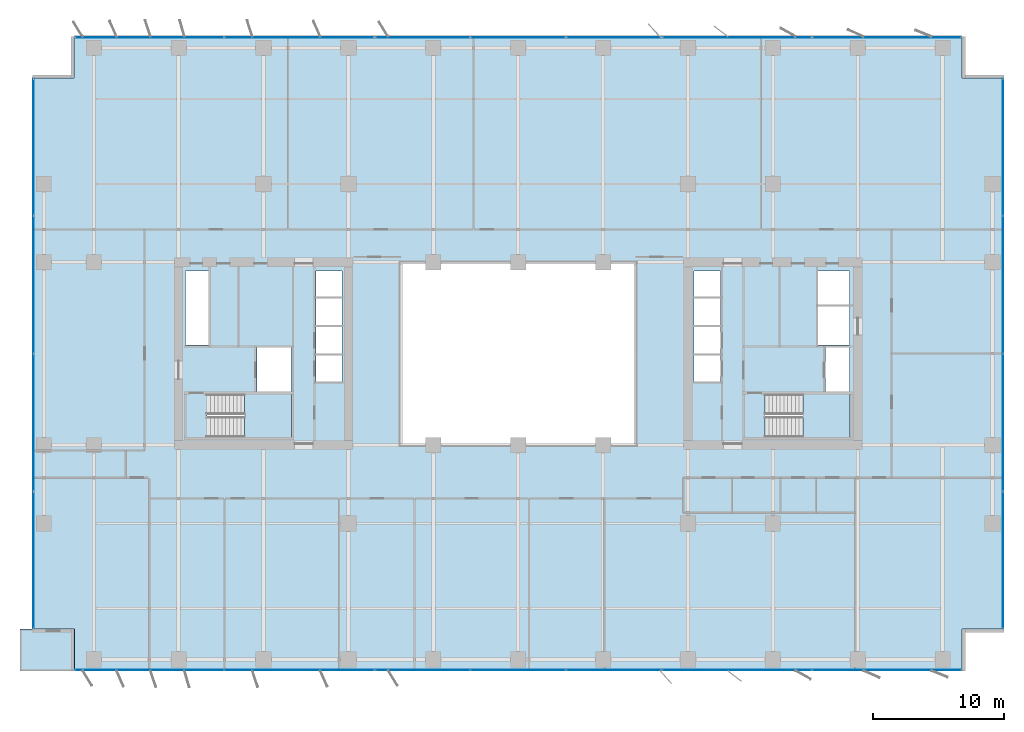
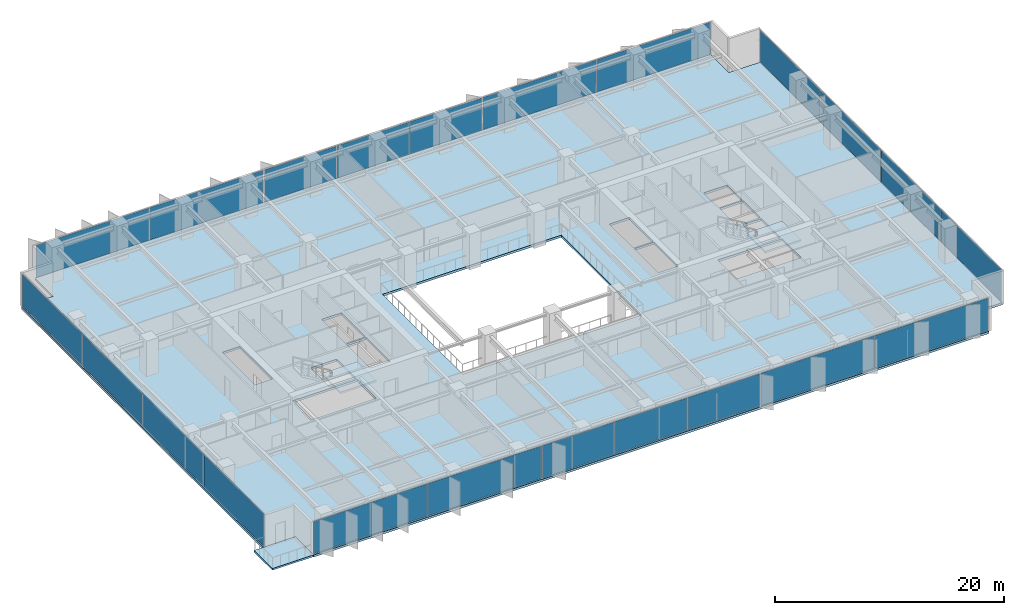
# One storey, part 12 of 20: 22 plates, 4 slabs, 10 elements without a shape of their own.
"""IFC4 building model written with IfcOpenShell, lengths in metres."""

from ifc_helpers import new_model, si_unit, direction, frame, origin, origin_2d, place, context, subcontext, project, spatial, polyline, rectangle, outline, extrude, material, layer, layer_set, type_object, element, aggregate, save


model = new_model("IFC4")

# Units and contexts
model_context = context("Model", 3, precision=1e-05, world=origin(), true_north=direction((0.0, 1.0)))
body_context = subcontext(model_context, "Body", "Model", "MODEL_VIEW")
ifc_project = project(units=[si_unit("LENGTHUNIT", "METRE"), si_unit("AREAUNIT", "SQUARE_METRE"), si_unit("VOLUMEUNIT", "CUBIC_METRE"), si_unit("PLANEANGLEUNIT", "RADIAN"), si_unit("MASSUNIT", "GRAM", prefix="KILO")], contexts=[model_context])

# Site, building, storey
site_placement = place(None, origin())
site = spatial("IfcSite", under=ifc_project, at=site_placement, CompositionType="ELEMENT")
building_placement = place(site_placement, origin())
building = spatial("IfcBuilding", under=site, at=building_placement, Name="Putna Gate Headquarters", CompositionType="ELEMENT")
storey_placement = place(building_placement, frame((0.0, 0.0, 101.199951171875)))
storey = spatial("IfcBuildingStorey", under=building, at=storey_placement, Name="L24", CompositionType="ELEMENT", Elevation=101.199951171875)

# Stair, slab
ifc_material_1 = material(Name="Concrete C40/50", Category="concrete")
stair_type_1 = type_object("IfcStairType", Name="STAIR-ST1", PredefinedType="HALF_TURN_STAIR", material=ifc_material_1)
stair_1_placement = place(storey_placement, origin())
stair_1 = element("IfcStair", 1, at=stair_1_placement, inside=storey, type_object=stair_type_1, Name="L24 West Core Exit Stair ST1", PredefinedType="HALF_TURN_STAIR")
ifc_layer_1 = layer(ifc_material_1, 0.199951171875)
ifc_layer_set_1 = layer_set([ifc_layer_1], Name="Concrete C40/50")
slab_type_1 = type_object("IfcSlabType", Name="LANDING-ST1", PredefinedType="LANDING", material=ifc_layer_set_1)
slab_1_placement = place(storey_placement, frame((0.0, 0.0, 1.699951171875)))
slab_1 = element("IfcSlab", 2, at=slab_1_placement, type_object=slab_type_1, Name="ST1 landing 1", PredefinedType="LANDING", context=body_context, shape_type="SweptSolid", body=[
    extrude(outline(polyline([(18.050048828125, 19.60009765625), (21.64990234375, 19.60009765625), (21.64990234375, 22.89990234375), (18.050048828125, 22.89990234375), (18.050048828125, 19.60009765625)])), origin(), (0.0, 0.0, 1.0), 0.2001953125),
])
aggregate(stair_1, [slab_1])

stair_type_2 = type_object("IfcStairType", Name="STAIR-ST2", PredefinedType="HALF_TURN_STAIR", material=ifc_material_1)
stair_2_placement = place(storey_placement, origin())
stair_2 = element("IfcStair", 3, at=stair_2_placement, inside=storey, type_object=stair_type_2, Name="L24 East Core Exit Stair ST2", PredefinedType="HALF_TURN_STAIR")
ifc_layer_2 = layer(ifc_material_1, 0.199951171875)
ifc_layer_set_2 = layer_set([ifc_layer_2], Name="Concrete C40/50")
slab_type_2 = type_object("IfcSlabType", Name="LANDING-ST2", PredefinedType="LANDING", material=ifc_layer_set_2)
slab_2_placement = place(storey_placement, frame((0.0, 0.0, 1.699951171875)))
slab_2 = element("IfcSlab", 4, at=slab_2_placement, type_object=slab_type_2, Name="ST2 landing 1", PredefinedType="LANDING", context=body_context, shape_type="SweptSolid", body=[
    extrude(outline(polyline([(60.800048828125, 19.60009765625), (64.39990234375, 19.60009765625), (64.39990234375, 22.89990234375), (60.800048828125, 22.89990234375), (60.800048828125, 19.60009765625)])), origin(), (0.0, 0.0, 1.0), 0.2001953125),
])
aggregate(stair_2, [slab_2])

# Curtain wall, plates
ifc_material_2 = material(Name="Anodised bronze aluminium curtain wall", Category="aluminium")
ifc_layer_3 = layer(ifc_material_2, 0.159912109375)
ifc_layer_set_3 = layer_set([ifc_layer_3], Name="Anodised bronze aluminium curtain wall")
curtain_wall_type_1 = type_object("IfcCurtainWallType", Name="CW-SYS-Z2", PredefinedType="USERDEFINED", material=ifc_layer_set_3)
curtain_wall_1_placement = place(storey_placement, origin())
curtain_wall_1 = element("IfcCurtainWall", 5, at=curtain_wall_1_placement, inside=storey, type_object=curtain_wall_type_1, Name="L24 South West Curtain Wall", ObjectType="STICK CURTAIN WALL", PredefinedType="USERDEFINED")
ifc_material_3 = material(Name="Solar-control triple low-E glass", Category="glass")
ifc_layer_4 = layer(ifc_material_3, 0.030029296875)
ifc_layer_set_4 = layer_set([ifc_layer_4], Name="Solar-control triple low-E glass")
plate_type_1 = type_object("IfcPlateType", Name="PAN-CWP-2", PredefinedType="CURTAIN_PANEL", material=ifc_layer_set_4)
plate_1_placement = place(storey_placement, frame((10.766357421875, 1.780029296875, 0.06494140625), z_axis=(0.0, 0.0, 1.0), x_axis=(1.0, 0.0, 0.0)))
plate_1 = element("IfcPlate", 6, at=plate_1_placement, type_object=plate_type_1, Name="CWS-2 panel 1.1", PredefinedType="CURTAIN_PANEL", context=body_context, shape_type="SweptSolid", body=[
    extrude(rectangle(XDim=11.402587890625, YDim=0.030029296875, at=origin_2d()), origin(), (0.0, 0.0, 1.0), 3.43505859375),
])
plate_2_placement = place(storey_placement, frame((22.233642578125, 1.780029296875, 0.06494140625), z_axis=(0.0, 0.0, 1.0), x_axis=(1.0, 0.0, 0.0)))
plate_2 = element("IfcPlate", 7, at=plate_2_placement, type_object=plate_type_1, Name="CWS-2 panel 2.1", PredefinedType="CURTAIN_PANEL", context=body_context, shape_type="SweptSolid", body=[
    extrude(rectangle(XDim=11.402587890625, YDim=0.030029296875, at=origin_2d()), origin(), (0.0, 0.0, 1.0), 3.43505859375),
])
aggregate(curtain_wall_1, [plate_1, plate_2])

curtain_wall_2_placement = place(storey_placement, origin())
curtain_wall_2 = element("IfcCurtainWall", 8, at=curtain_wall_2_placement, inside=storey, type_object=curtain_wall_type_1, Name="L24 South East Curtain Wall", ObjectType="STICK CURTAIN WALL", PredefinedType="USERDEFINED")
plate_3_placement = place(storey_placement, frame((55.766357421875, 1.780029296875, 0.06494140625), z_axis=(0.0, 0.0, 1.0), x_axis=(1.0, 0.0, 0.0)))
plate_3 = element("IfcPlate", 9, at=plate_3_placement, type_object=plate_type_1, Name="CWS-2 panel 1.1", PredefinedType="CURTAIN_PANEL", context=body_context, shape_type="SweptSolid", body=[
    extrude(rectangle(XDim=11.402587890625, YDim=0.030029296875, at=origin_2d()), origin(), (0.0, 0.0, 1.0), 3.43505859375),
])
plate_4_placement = place(storey_placement, frame((67.233642578125, 1.780029296875, 0.06494140625), z_axis=(0.0, 0.0, 1.0), x_axis=(1.0, 0.0, 0.0)))
plate_4 = element("IfcPlate", 10, at=plate_4_placement, type_object=plate_type_1, Name="CWS-2 panel 2.1", PredefinedType="CURTAIN_PANEL", context=body_context, shape_type="SweptSolid", body=[
    extrude(rectangle(XDim=11.402587890625, YDim=0.030029296875, at=origin_2d()), origin(), (0.0, 0.0, 1.0), 3.43505859375),
])
aggregate(curtain_wall_2, [plate_3, plate_4])

curtain_wall_3_placement = place(storey_placement, origin())
curtain_wall_3 = element("IfcCurtainWall", 11, at=curtain_wall_3_placement, inside=storey, type_object=curtain_wall_type_1, Name="L24 North West Curtain Wall", ObjectType="STICK CURTAIN WALL", PredefinedType="USERDEFINED")
plate_5_placement = place(storey_placement, frame((10.766357421875, 50.219970703125, 0.06494140625), z_axis=(0.0, 0.0, 1.0), x_axis=(1.0, 0.0, 0.0)))
plate_5 = element("IfcPlate", 12, at=plate_5_placement, type_object=plate_type_1, Name="CWS-2 panel 1.1", PredefinedType="CURTAIN_PANEL", context=body_context, shape_type="SweptSolid", body=[
    extrude(rectangle(XDim=11.402587890625, YDim=0.030029296875, at=origin_2d()), origin(), (0.0, 0.0, 1.0), 3.43505859375),
])
plate_6_placement = place(storey_placement, frame((22.233642578125, 50.219970703125, 0.06494140625), z_axis=(0.0, 0.0, 1.0), x_axis=(1.0, 0.0, 0.0)))
plate_6 = element("IfcPlate", 13, at=plate_6_placement, type_object=plate_type_1, Name="CWS-2 panel 2.1", PredefinedType="CURTAIN_PANEL", context=body_context, shape_type="SweptSolid", body=[
    extrude(rectangle(XDim=11.402587890625, YDim=0.030029296875, at=origin_2d()), origin(), (0.0, 0.0, 1.0), 3.43505859375),
])
aggregate(curtain_wall_3, [plate_5, plate_6])

curtain_wall_4_placement = place(storey_placement, origin())
curtain_wall_4 = element("IfcCurtainWall", 14, at=curtain_wall_4_placement, inside=storey, type_object=curtain_wall_type_1, Name="L24 North East Curtain Wall", ObjectType="STICK CURTAIN WALL", PredefinedType="USERDEFINED")
plate_7_placement = place(storey_placement, frame((55.766357421875, 50.219970703125, 0.06494140625), z_axis=(0.0, 0.0, 1.0), x_axis=(1.0, 0.0, 0.0)))
plate_7 = element("IfcPlate", 15, at=plate_7_placement, type_object=plate_type_1, Name="CWS-2 panel 1.1", PredefinedType="CURTAIN_PANEL", context=body_context, shape_type="SweptSolid", body=[
    extrude(rectangle(XDim=11.402587890625, YDim=0.030029296875, at=origin_2d()), origin(), (0.0, 0.0, 1.0), 3.43505859375),
])
plate_8_placement = place(storey_placement, frame((67.233642578125, 50.219970703125, 0.06494140625), z_axis=(0.0, 0.0, 1.0), x_axis=(1.0, 0.0, 0.0)))
plate_8 = element("IfcPlate", 16, at=plate_8_placement, type_object=plate_type_1, Name="CWS-2 panel 2.1", PredefinedType="CURTAIN_PANEL", context=body_context, shape_type="SweptSolid", body=[
    extrude(rectangle(XDim=11.402587890625, YDim=0.030029296875, at=origin_2d()), origin(), (0.0, 0.0, 1.0), 3.43505859375),
])
aggregate(curtain_wall_4, [plate_7, plate_8])

curtain_wall_5_placement = place(storey_placement, origin())
curtain_wall_5 = element("IfcCurtainWall", 17, at=curtain_wall_5_placement, inside=storey, type_object=curtain_wall_type_1, Name="L24 West Curtain Wall", ObjectType="STICK CURTAIN WALL", PredefinedType="USERDEFINED")
plate_9_placement = place(storey_placement, frame((1.8798828125, 10.191162109375, 0.06494140625), z_axis=(0.0, 0.0, 1.0), x_axis=(0.0, 1.0, 0.0)))
plate_9 = element("IfcPlate", 18, at=plate_9_placement, type_object=plate_type_1, Name="CWS-2 panel 1.1", PredefinedType="CURTAIN_PANEL", context=body_context, shape_type="SweptSolid", body=[
    extrude(rectangle(XDim=10.452392578125, YDim=0.030029296875, at=origin_2d()), origin(), (0.0, 0.0, 1.0), 3.43505859375),
])
plate_10_placement = place(storey_placement, frame((1.8798828125, 20.72509765625, 0.06494140625), z_axis=(0.0, 0.0, 1.0), x_axis=(0.0, 1.0, 0.0)))
plate_10 = element("IfcPlate", 19, at=plate_10_placement, type_object=plate_type_1, Name="CWS-2 panel 2.1", PredefinedType="CURTAIN_PANEL", context=body_context, shape_type="SweptSolid", body=[
    extrude(rectangle(XDim=10.485107421875, YDim=0.030029296875, at=origin_2d()), origin(), (0.0, 0.0, 1.0), 3.43505859375),
])
plate_11_placement = place(storey_placement, frame((1.8798828125, 31.27490234375, 0.06494140625), z_axis=(0.0, 0.0, 1.0), x_axis=(0.0, 1.0, 0.0)))
plate_11 = element("IfcPlate", 20, at=plate_11_placement, type_object=plate_type_1, Name="CWS-2 panel 3.1", PredefinedType="CURTAIN_PANEL", context=body_context, shape_type="SweptSolid", body=[
    extrude(rectangle(XDim=10.485107421875, YDim=0.030029296875, at=origin_2d()), origin(), (0.0, 0.0, 1.0), 3.43505859375),
])
plate_12_placement = place(storey_placement, frame((1.8798828125, 41.808837890625, 0.06494140625), z_axis=(0.0, 0.0, 1.0), x_axis=(0.0, 1.0, 0.0)))
plate_12 = element("IfcPlate", 21, at=plate_12_placement, type_object=plate_type_1, Name="CWS-2 panel 4.1", PredefinedType="CURTAIN_PANEL", context=body_context, shape_type="SweptSolid", body=[
    extrude(rectangle(XDim=10.452392578125, YDim=0.030029296875, at=origin_2d()), origin(), (0.0, 0.0, 1.0), 3.43505859375),
])
aggregate(curtain_wall_5, [plate_9, plate_10, plate_11, plate_12])

curtain_wall_6_placement = place(storey_placement, origin())
curtain_wall_6 = element("IfcCurtainWall", 22, at=curtain_wall_6_placement, inside=storey, type_object=curtain_wall_type_1, Name="L24 East Curtain Wall", ObjectType="STICK CURTAIN WALL", PredefinedType="USERDEFINED")
plate_13_placement = place(storey_placement, frame((76.1201171875, 10.191162109375, 0.06494140625), z_axis=(0.0, 0.0, 1.0), x_axis=(0.0, 1.0, 0.0)))
plate_13 = element("IfcPlate", 23, at=plate_13_placement, type_object=plate_type_1, Name="CWS-2 panel 1.1", PredefinedType="CURTAIN_PANEL", context=body_context, shape_type="SweptSolid", body=[
    extrude(rectangle(XDim=10.452392578125, YDim=0.030029296875, at=origin_2d()), origin(), (0.0, 0.0, 1.0), 3.43505859375),
])
plate_14_placement = place(storey_placement, frame((76.1201171875, 20.72509765625, 0.06494140625), z_axis=(0.0, 0.0, 1.0), x_axis=(0.0, 1.0, 0.0)))
plate_14 = element("IfcPlate", 24, at=plate_14_placement, type_object=plate_type_1, Name="CWS-2 panel 2.1", PredefinedType="CURTAIN_PANEL", context=body_context, shape_type="SweptSolid", body=[
    extrude(rectangle(XDim=10.485107421875, YDim=0.030029296875, at=origin_2d()), origin(), (0.0, 0.0, 1.0), 3.43505859375),
])
plate_15_placement = place(storey_placement, frame((76.1201171875, 31.27490234375, 0.06494140625), z_axis=(0.0, 0.0, 1.0), x_axis=(0.0, 1.0, 0.0)))
plate_15 = element("IfcPlate", 25, at=plate_15_placement, type_object=plate_type_1, Name="CWS-2 panel 3.1", PredefinedType="CURTAIN_PANEL", context=body_context, shape_type="SweptSolid", body=[
    extrude(rectangle(XDim=10.485107421875, YDim=0.030029296875, at=origin_2d()), origin(), (0.0, 0.0, 1.0), 3.43505859375),
])
plate_16_placement = place(storey_placement, frame((76.1201171875, 41.808837890625, 0.06494140625), z_axis=(0.0, 0.0, 1.0), x_axis=(0.0, 1.0, 0.0)))
plate_16 = element("IfcPlate", 26, at=plate_16_placement, type_object=plate_type_1, Name="CWS-2 panel 4.1", PredefinedType="CURTAIN_PANEL", context=body_context, shape_type="SweptSolid", body=[
    extrude(rectangle(XDim=10.452392578125, YDim=0.030029296875, at=origin_2d()), origin(), (0.0, 0.0, 1.0), 3.43505859375),
])
aggregate(curtain_wall_6, [plate_13, plate_14, plate_15, plate_16])

ifc_layer_5 = layer(ifc_material_2, 0.179931640625)
ifc_layer_set_5 = layer_set([ifc_layer_5], Name="Anodised bronze aluminium curtain wall")
curtain_wall_type_2 = type_object("IfcCurtainWallType", Name="CW-SYS-ATR", PredefinedType="USERDEFINED", material=ifc_layer_set_5)
curtain_wall_7_placement = place(storey_placement, origin())
curtain_wall_7 = element("IfcCurtainWall", 27, at=curtain_wall_7_placement, inside=storey, type_object=curtain_wall_type_2, Name="L24 South Atrium Clear Glazing", ObjectType="ATRIUM GLAZING", PredefinedType="USERDEFINED")
ifc_material_4 = material(Name="Clear low-iron triple glazing", Category="glass")
ifc_layer_6 = layer(ifc_material_4, 0.0400390625)
ifc_layer_set_6 = layer_set([ifc_layer_6], Name="Clear low-iron triple glazing")
plate_type_2 = type_object("IfcPlateType", Name="PAN-CWP-AT", PredefinedType="CURTAIN_PANEL", material=ifc_layer_set_6)
plate_17_placement = place(storey_placement, frame((31.68408203125, 1.780029296875, 0.06982421875), z_axis=(0.0, 0.0, 1.0), x_axis=(1.0, 0.0, 0.0)))
plate_17 = element("IfcPlate", 28, at=plate_17_placement, type_object=plate_type_2, Name="CWS-AT panel 1.1", PredefinedType="CURTAIN_PANEL", context=body_context, shape_type="SweptSolid", body=[
    extrude(rectangle(XDim=7.228271484375, YDim=0.0400390625, at=origin_2d()), origin(), (0.0, 0.0, 1.0), 3.425048828125),
])
plate_18_placement = place(storey_placement, frame((39.0, 1.780029296875, 0.06982421875), z_axis=(0.0, 0.0, 1.0), x_axis=(1.0, 0.0, 0.0)))
plate_18 = element("IfcPlate", 29, at=plate_18_placement, type_object=plate_type_2, Name="CWS-AT panel 2.1", PredefinedType="CURTAIN_PANEL", context=body_context, shape_type="SweptSolid", body=[
    extrude(rectangle(XDim=7.263427734375, YDim=0.0400390625, at=origin_2d()), origin(), (0.0, 0.0, 1.0), 3.425048828125),
])
plate_19_placement = place(storey_placement, frame((46.31591796875, 1.780029296875, 0.06982421875), z_axis=(0.0, 0.0, 1.0), x_axis=(1.0, 0.0, 0.0)))
plate_19 = element("IfcPlate", 30, at=plate_19_placement, type_object=plate_type_2, Name="CWS-AT panel 3.1", PredefinedType="CURTAIN_PANEL", context=body_context, shape_type="SweptSolid", body=[
    extrude(rectangle(XDim=7.228271484375, YDim=0.0400390625, at=origin_2d()), origin(), (0.0, 0.0, 1.0), 3.425048828125),
])
aggregate(curtain_wall_7, [plate_17, plate_18, plate_19])

curtain_wall_8_placement = place(storey_placement, origin())
curtain_wall_8 = element("IfcCurtainWall", 31, at=curtain_wall_8_placement, inside=storey, type_object=curtain_wall_type_2, Name="L24 North Atrium Clear Glazing", ObjectType="ATRIUM GLAZING", PredefinedType="USERDEFINED")
plate_20_placement = place(storey_placement, frame((31.68408203125, 50.219970703125, 0.06982421875), z_axis=(0.0, 0.0, 1.0), x_axis=(1.0, 0.0, 0.0)))
plate_20 = element("IfcPlate", 32, at=plate_20_placement, type_object=plate_type_2, Name="CWS-AT panel 1.1", PredefinedType="CURTAIN_PANEL", context=body_context, shape_type="SweptSolid", body=[
    extrude(rectangle(XDim=7.228271484375, YDim=0.0400390625, at=origin_2d()), origin(), (0.0, 0.0, 1.0), 3.425048828125),
])
plate_21_placement = place(storey_placement, frame((39.0, 50.219970703125, 0.06982421875), z_axis=(0.0, 0.0, 1.0), x_axis=(1.0, 0.0, 0.0)))
plate_21 = element("IfcPlate", 33, at=plate_21_placement, type_object=plate_type_2, Name="CWS-AT panel 2.1", PredefinedType="CURTAIN_PANEL", context=body_context, shape_type="SweptSolid", body=[
    extrude(rectangle(XDim=7.263427734375, YDim=0.0400390625, at=origin_2d()), origin(), (0.0, 0.0, 1.0), 3.425048828125),
])
plate_22_placement = place(storey_placement, frame((46.31591796875, 50.219970703125, 0.06982421875), z_axis=(0.0, 0.0, 1.0), x_axis=(1.0, 0.0, 0.0)))
plate_22 = element("IfcPlate", 34, at=plate_22_placement, type_object=plate_type_2, Name="CWS-AT panel 3.1", PredefinedType="CURTAIN_PANEL", context=body_context, shape_type="SweptSolid", body=[
    extrude(rectangle(XDim=7.228271484375, YDim=0.0400390625, at=origin_2d()), origin(), (0.0, 0.0, 1.0), 3.425048828125),
])
aggregate(curtain_wall_8, [plate_20, plate_21, plate_22])

# Slabs
ifc_layer_7 = layer(ifc_material_1, 0.179931640625)
ifc_layer_set_7 = layer_set([ifc_layer_7], Name="Concrete C40/50")
slab_type_3 = type_object("IfcSlabType", Name="SLAB-TERRACE-180", PredefinedType="FLOOR", material=ifc_layer_set_7)
slab_3_placement = place(storey_placement, frame((0.0, 0.0, -0.179931640625)))
element("IfcSlab", 35, at=slab_3_placement, inside=storey, type_object=slab_type_3, Name="L24 Spiral Sky-Garden Terrace Slab (SW)", PredefinedType="FLOOR", context=body_context, shape_type="SweptSolid", body=[
    extrude(outline(polyline([(0.85009765625, 1.699951171875), (5.008056640625, 1.699951171875), (5.008056640625, 4.907958984375), (0.85009765625, 4.907958984375), (0.85009765625, 1.699951171875)])), origin(), (0.0, 0.0, 1.0), 0.179931640625),
])
ifc_layer_8 = layer(ifc_material_1, 0.235107421875)
ifc_layer_set_8 = layer_set([ifc_layer_8], Name="Concrete C40/50")
slab_type_4 = type_object("IfcSlabType", Name="SLAB-Z2-235", PredefinedType="FLOOR", material=ifc_layer_set_8)
slab_4_placement = place(storey_placement, frame((0.0, 0.0, -0.23486328125)))
element("IfcSlab", 36, at=slab_4_placement, inside=storey, type_object=slab_type_4, Name="L24 Composite Floor Slab", PredefinedType="FLOOR", context=body_context, shape_type="SweptSolid", body=[
    extrude(outline(polyline([(5.0, 1.699951171875), (73.0, 1.699951171875), (73.0, 4.89990234375), (76.199951171875, 4.89990234375), (76.199951171875, 47.10009765625), (73.0, 47.10009765625), (73.0, 50.300048828125), (5.0, 50.300048828125), (5.0, 47.10009765625), (1.800048828125, 47.10009765625), (1.800048828125, 4.89990234375), (5.0, 4.89990234375), (5.0, 1.699951171875)]), holes=[polyline([(15.1650390625, 19.60009765625), (21.64990234375, 19.60009765625), (21.64990234375, 22.89990234375), (15.1650390625, 22.89990234375), (15.1650390625, 19.60009765625)]), polyline([(57.9150390625, 19.60009765625), (64.39990234375, 19.60009765625), (64.39990234375, 22.89990234375), (57.9150390625, 22.89990234375), (57.9150390625, 19.60009765625)]), polyline([(13.52001953125, 26.659912109375), (15.280029296875, 26.659912109375), (15.280029296875, 32.35009765625), (13.52001953125, 32.35009765625), (13.52001953125, 26.659912109375)]), polyline([(61.969970703125, 29.780029296875), (64.35009765625, 29.780029296875), (64.35009765625, 32.35009765625), (61.969970703125, 32.35009765625), (61.969970703125, 29.780029296875)]), polyline([(18.97998046875, 23.1201171875), (21.6201171875, 23.1201171875), (21.6201171875, 26.4599609375), (18.97998046875, 26.4599609375), (18.97998046875, 23.1201171875)]), polyline([(62.52001953125, 23.1201171875), (64.35009765625, 23.1201171875), (64.35009765625, 26.4599609375), (62.52001953125, 26.4599609375), (62.52001953125, 23.1201171875)]), polyline([(61.969970703125, 26.659912109375), (64.35009765625, 26.659912109375), (64.35009765625, 29.6201171875), (61.969970703125, 29.6201171875), (61.969970703125, 26.659912109375)]), polyline([(23.5, 23.860107421875), (25.5, 23.860107421875), (25.5, 28.0400390625), (23.5, 28.0400390625), (23.5, 23.860107421875)]), polyline([(52.47998046875, 23.860107421875), (54.5, 23.860107421875), (54.5, 28.0400390625), (52.47998046875, 28.0400390625), (52.47998046875, 23.860107421875)]), polyline([(23.5, 28.199951171875), (25.5, 28.199951171875), (25.5, 32.35009765625), (23.5, 32.35009765625), (23.5, 28.199951171875)]), polyline([(52.47998046875, 28.199951171875), (54.5, 28.199951171875), (54.5, 32.35009765625), (52.47998046875, 32.35009765625), (52.47998046875, 28.199951171875)]), polyline([(30.0, 19.0), (48.0, 19.0), (48.0, 33.0), (30.0, 33.0), (30.0, 19.0)])]), origin(), (0.0, 0.0, 1.0), 0.23486328125),
])

save(model, "model.ifc")
